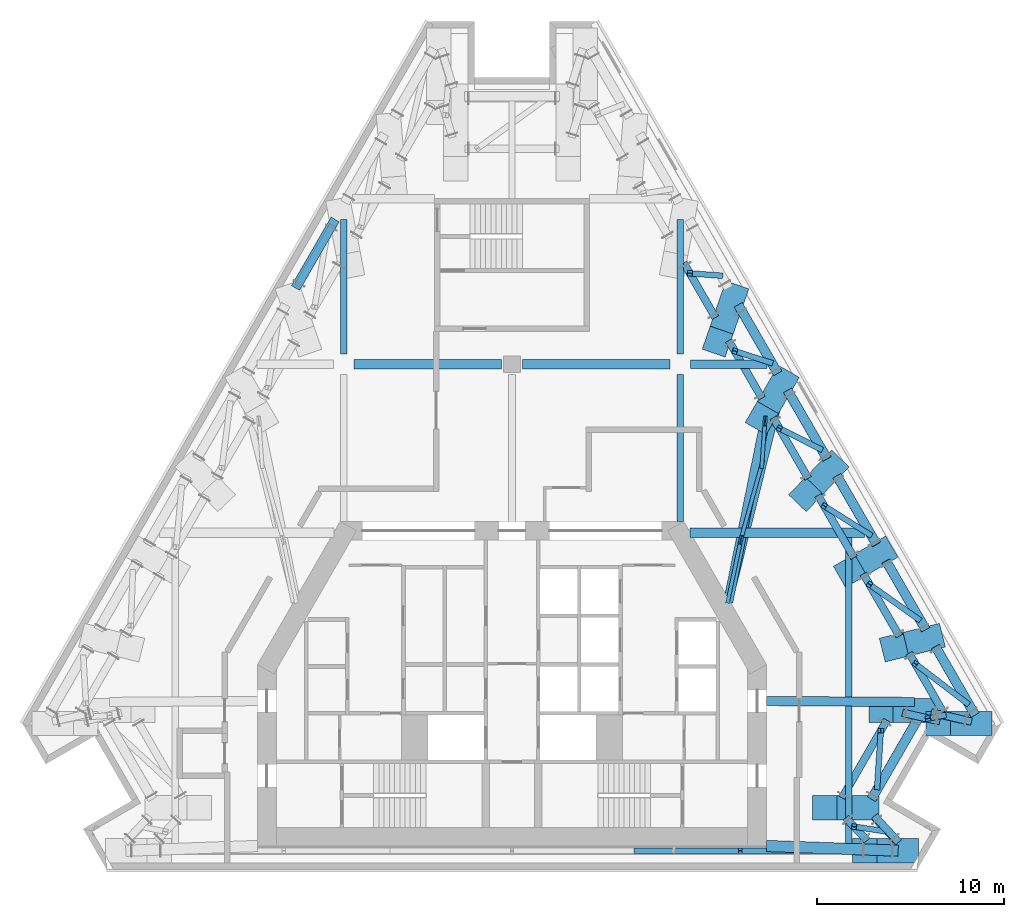
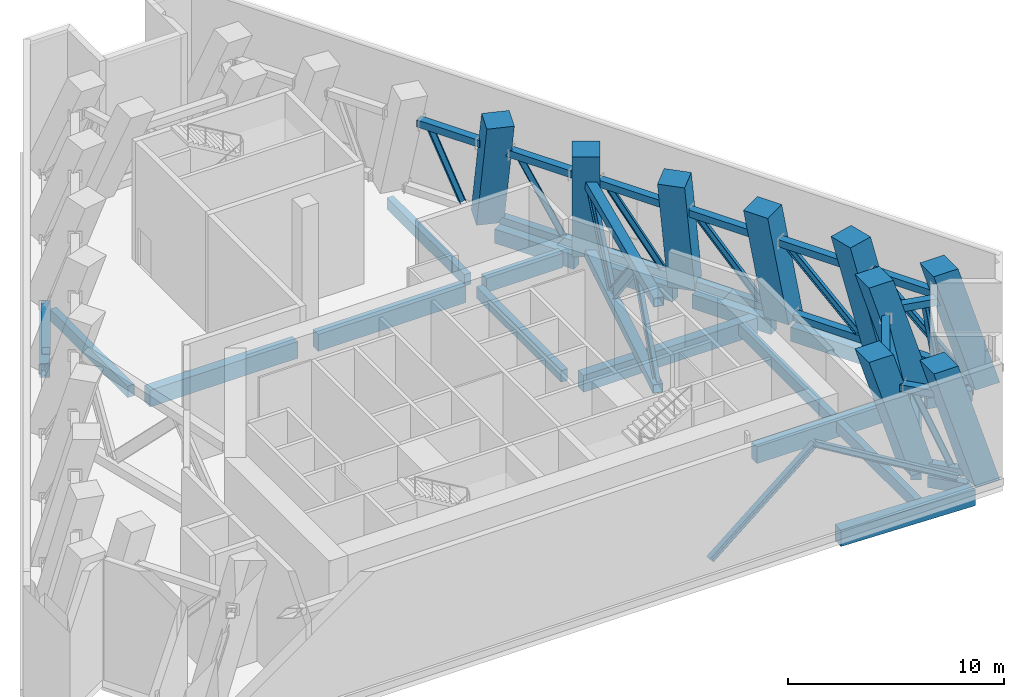
# One storey, part 2 of 13: 43 members, 20 beams.
"""IFC4 building model written with IfcOpenShell, lengths in metres."""

from ifc_helpers import new_model, si_unit, direction, frame, origin, origin_2d, place, context, subcontext, project, spatial, rectangle, hollow_rectangle, i_section, extrude, material, material_profile, profile_set, type_object, element, save


model = new_model("IFC4")

# Units and contexts
model_context = context("Model", 3, precision=1e-05, world=origin(), true_north=direction((0.0, 1.0)))
body_context = subcontext(model_context, "Body", "Model", "MODEL_VIEW")
ifc_project = project(units=[si_unit("LENGTHUNIT", "METRE"), si_unit("AREAUNIT", "SQUARE_METRE"), si_unit("VOLUMEUNIT", "CUBIC_METRE"), si_unit("PLANEANGLEUNIT", "RADIAN"), si_unit("MASSUNIT", "GRAM", prefix="KILO")], contexts=[model_context])

# Site, building, storey
site_placement = place(None, origin())
site = spatial("IfcSite", under=ifc_project, at=site_placement, CompositionType="ELEMENT")
building_placement = place(site_placement, origin())
building = spatial("IfcBuilding", under=site, at=building_placement, Name="Fogline Exchange Tower", CompositionType="ELEMENT")
storey_placement = place(building_placement, frame((0.0, 0.0, 259.5)))
storey = spatial("IfcBuildingStorey", under=building, at=storey_placement, Name="L59", CompositionType="ELEMENT", Elevation=259.5)

# Beams
ifc_material_1 = material(Name="Concrete C40", Category="concrete")
ifc_material_profile_1 = material_profile(ifc_material_1, rectangle(XDim=0.60009765625, YDim=0.89990234375, at=origin_2d()), Name="RC 600x900")
ifc_profile_set_1 = profile_set([ifc_material_profile_1], Name="Concrete C40")
beam_type_1 = type_object("IfcBeamType", Name="B09", PredefinedType="BEAM", material=ifc_profile_set_1)
beam_1_placement = place(storey_placement, frame((13.60009765625, 1.25, -0.85009765625), z_axis=(0.99937042328, -0.035478966629, 0.0), x_axis=(0.035478966629, 0.99937042328, 0.0)))
element("IfcBeam", 1, at=beam_1_placement, inside=storey, type_object=beam_type_1, Name="RB005", PredefinedType="BEAM", context=body_context, shape_type="SweptSolid", body=[
    extrude(rectangle(XDim=0.60009765625, YDim=0.89990234375, at=origin_2d()), origin(), (0.0, 0.0, 1.0), 7.04638671875),
])
ifc_material_profile_2 = material_profile(ifc_material_1, rectangle(XDim=0.5, YDim=0.800048828125, at=origin_2d()), Name="RC 500x800")
ifc_profile_set_2 = profile_set([ifc_material_profile_2], Name="Concrete C40")
beam_type_2 = type_object("IfcBeamType", Name="B10", PredefinedType="BEAM", material=ifc_profile_set_2)
beam_2_placement = place(storey_placement, frame((19.215087890625, 3.7490234375, -0.800048828125), z_axis=(0.499976646485, 0.866038886523, 0.0), x_axis=(-0.866038886523, 0.499976646485, 0.0)))
element("IfcBeam", 2, at=beam_2_placement, inside=storey, type_object=beam_type_2, Name="RB007", PredefinedType="BEAM", context=body_context, shape_type="SweptSolid", body=[
    extrude(rectangle(XDim=0.5, YDim=0.800048828125, at=origin_2d()), origin(), (0.0, 0.0, 1.0), 4.960693359375),
])
beam_3_placement = place(storey_placement, frame((24.7548828125, 8.244140625, -0.800048828125), z_axis=(-0.499990325971, 0.866030989016, 0.0), x_axis=(-0.866030989016, -0.499990325971, 0.0)))
element("IfcBeam", 3, at=beam_3_placement, inside=storey, type_object=beam_type_2, Name="RB009", PredefinedType="BEAM", context=body_context, shape_type="SweptSolid", body=[
    extrude(rectangle(XDim=0.5, YDim=0.800048828125, at=origin_2d()), origin(), (0.0, 0.0, 1.0), 4.23388671875),
])
beam_4_placement = place(storey_placement, frame((22.118408203125, 12.810791015625, -0.800048828125), z_axis=(-0.500015295222, 0.866016572904, 0.0), x_axis=(-0.866016572904, -0.500015295222, 0.0)))
element("IfcBeam", 4, at=beam_4_placement, inside=storey, type_object=beam_type_2, Name="RB010", PredefinedType="BEAM", context=body_context, shape_type="SweptSolid", body=[
    extrude(rectangle(XDim=0.5, YDim=0.800048828125, at=origin_2d()), origin(), (0.0, 0.0, 1.0), 4.233642578125),
])
beam_5_placement = place(storey_placement, frame((19.481689453125, 17.377197265625, -0.800048828125), z_axis=(-0.499947076772, 0.866055956868, 0.0), x_axis=(-0.866055956868, -0.499947076772, 0.0)))
element("IfcBeam", 5, at=beam_5_placement, inside=storey, type_object=beam_type_2, Name="RB011", PredefinedType="BEAM", context=body_context, shape_type="SweptSolid", body=[
    extrude(rectangle(XDim=0.5, YDim=0.800048828125, at=origin_2d()), origin(), (0.0, 0.0, 1.0), 4.23388671875),
])
for number, where, z_axis, x_axis, name in (
    (6, (16.84521484375, 21.94384765625, -0.800048828125), (-0.499972045304, 0.866041542834, 0.0), (-0.866041542834, -0.499972045304, 0.0), "RB012"),
    (7, (14.208740234375, 26.510498046875, -0.800048828125), (-0.499972045304, 0.866041542834, 0.0), (-0.866041542834, -0.499972045304, 0.0), "RB013"),
    (8, (-9.45556640625, 34.743408203125, -0.800048828125), (-0.499972045304, -0.866041542834, 0.0), (0.866041542834, -0.499972045304, 0.0), "RB022"),
):
    element("IfcBeam", number, at=place(storey_placement, frame(where, z_axis=z_axis, x_axis=x_axis)), inside=storey, type_object=beam_type_2, Name=name, PredefinedType="BEAM", context=body_context, shape_type="SweptSolid", body=[
        extrude(rectangle(XDim=0.5, YDim=0.800048828125, at=origin_2d()), origin(), (0.0, 0.0, 1.0), 4.233642578125),
    ])
ifc_material_profile_3 = material_profile(ifc_material_1, rectangle(XDim=0.39990234375, YDim=0.60009765625, at=origin_2d()), Name="RC 400x600")
ifc_profile_set_3 = profile_set([ifc_material_profile_3], Name="Concrete C40")
beam_type_3 = type_object("IfcBeamType", Name="B11", PredefinedType="BEAM", material=ifc_profile_set_3)
beam_6_placement = place(storey_placement, frame((20.673828125, 1.449951171875, -0.699951171875), z_axis=(-0.68075009804, 0.732515736362, 0.0), x_axis=(-0.732515736362, -0.68075009804, 0.0)))
element("IfcBeam", 9, at=beam_6_placement, inside=storey, type_object=beam_type_3, Name="RB006", PredefinedType="BEAM", context=body_context, shape_type="SweptSolid", body=[
    extrude(rectangle(XDim=0.39990234375, YDim=0.60009765625, at=origin_2d()), origin(), (0.0, 0.0, 1.0), 1.91015625),
])
beam_7_placement = place(storey_placement, frame((22.4052734375, 8.39208984375, -0.699951171875), z_axis=(0.974731818643, -0.223378337636, 0.0), x_axis=(0.223378337636, 0.974731818643, 0.0)))
element("IfcBeam", 10, at=beam_7_placement, inside=storey, type_object=beam_type_3, Name="RB008", PredefinedType="BEAM", context=body_context, shape_type="SweptSolid", body=[
    extrude(rectangle(XDim=0.39990234375, YDim=0.60009765625, at=origin_2d()), origin(), (0.0, 0.0, 1.0), 2.21533203125),
])
ifc_material_profile_4 = material_profile(ifc_material_1, rectangle(XDim=0.5, YDim=0.949951171875, at=origin_2d()), Name="RC 500x950")
ifc_profile_set_4 = profile_set([ifc_material_profile_4], Name="Concrete C40")
beam_type_4 = type_object("IfcBeamType", Name="B14", PredefinedType="BEAM", material=ifc_profile_set_4)
beam_8_placement = place(storey_placement, frame((13.60009765625, 9.0, -0.875), z_axis=(0.999976072531, -0.006917684998, 0.0), x_axis=(0.006917684998, 0.999976072531, 0.0)))
element("IfcBeam", 11, at=beam_8_placement, inside=storey, type_object=beam_type_4, Name="GB002", PredefinedType="BEAM", context=body_context, shape_type="SweptSolid", body=[
    extrude(rectangle(XDim=0.5, YDim=0.949951171875, at=origin_2d()), origin(), (0.0, 0.0, 1.0), 7.905517578125),
])
beam_9_placement = place(storey_placement, frame((9.527099609375, 18.0, -0.875), z_axis=(1.0, 0.0, 0.0), x_axis=(0.0, 1.0, 0.0)))
element("IfcBeam", 12, at=beam_9_placement, inside=storey, type_object=beam_type_4, Name="GB004", PredefinedType="BEAM", context=body_context, shape_type="SweptSolid", body=[
    extrude(rectangle(XDim=0.5, YDim=0.949951171875, at=origin_2d()), origin(), (0.0, 0.0, 1.0), 9.306640625),
])
for number, where, z_axis, x_axis, name in (
    (13, (-8.449951171875, 27.0, -0.875), (1.0, 0.0, 0.0), (0.0, 1.0, 0.0), "GB006"),
    (14, (0.550048828125, 27.0, -0.875), (1.0, 0.0, 0.0), (0.0, 1.0, 0.0), "GB007"),
):
    element("IfcBeam", number, at=place(storey_placement, frame(where, z_axis=z_axis, x_axis=x_axis)), inside=storey, type_object=beam_type_4, Name=name, PredefinedType="BEAM", context=body_context, shape_type="SweptSolid", body=[
        extrude(rectangle(XDim=0.5, YDim=0.949951171875, at=origin_2d()), origin(), (0.0, 0.0, 1.0), 7.89990234375),
    ])
ifc_material_profile_5 = material_profile(ifc_material_1, rectangle(XDim=0.35009765625, YDim=0.64990234375, at=origin_2d()), Name="RC 350x650")
ifc_profile_set_5 = profile_set([ifc_material_profile_5], Name="Concrete C40")
beam_type_5 = type_object("IfcBeamType", Name="B16", PredefinedType="BEAM", material=ifc_profile_set_5)
beam_10_placement = place(storey_placement, frame((-9.0, 27.550048828125, -0.72509765625), z_axis=(0.0, 1.0, 0.0), x_axis=(-1.0, 0.0, 0.0)))
element("IfcBeam", 15, at=beam_10_placement, inside=storey, type_object=beam_type_5, Name="SB004", PredefinedType="BEAM", context=body_context, shape_type="SweptSolid", body=[
    extrude(rectangle(XDim=0.35009765625, YDim=0.64990234375, at=origin_2d()), origin(), (0.0, 0.0, 1.0), 7.193359375),
])
beam_11_placement = place(storey_placement, frame((9.0, 18.60009765625, -0.72509765625), z_axis=(0.0, 1.0, 0.0), x_axis=(-1.0, 0.0, 0.0)))
element("IfcBeam", 16, at=beam_11_placement, inside=storey, type_object=beam_type_5, Name="SB007", PredefinedType="BEAM", context=body_context, shape_type="SweptSolid", body=[
    extrude(rectangle(XDim=0.35009765625, YDim=0.64990234375, at=origin_2d()), origin(), (0.0, 0.0, 1.0), 7.849853515625),
])
beam_12_placement = place(storey_placement, frame((9.0, 27.550048828125, -0.72509765625), z_axis=(0.0, 1.0, 0.0), x_axis=(-1.0, 0.0, 0.0)))
element("IfcBeam", 17, at=beam_12_placement, inside=storey, type_object=beam_type_5, Name="SB008", PredefinedType="BEAM", context=body_context, shape_type="SweptSolid", body=[
    extrude(rectangle(XDim=0.35009765625, YDim=0.64990234375, at=origin_2d()), origin(), (0.0, 0.0, 1.0), 7.193359375),
])
beam_13_placement = place(storey_placement, frame((18.0, 1.39404296875, -0.72509765625), z_axis=(0.0, 1.0, 0.0), x_axis=(-1.0, 0.0, 0.0)))
element("IfcBeam", 18, at=beam_13_placement, inside=storey, type_object=beam_type_5, Name="SB009", PredefinedType="BEAM", context=body_context, shape_type="SweptSolid", body=[
    extrude(rectangle(XDim=0.35009765625, YDim=0.64990234375, at=origin_2d()), origin(), (0.0, 0.0, 1.0), 7.325439453125),
])
beam_14_placement = place(storey_placement, frame((18.0, 9.219482421875, -0.72509765625), z_axis=(0.0, 1.0, 0.0), x_axis=(-1.0, 0.0, 0.0)))
element("IfcBeam", 19, at=beam_14_placement, inside=storey, type_object=beam_type_5, Name="SB010", PredefinedType="BEAM", context=body_context, shape_type="SweptSolid", body=[
    extrude(rectangle(XDim=0.35009765625, YDim=0.64990234375, at=origin_2d()), origin(), (0.0, 0.0, 1.0), 8.530517578125),
])
ifc_material_profile_6 = material_profile(ifc_material_1, rectangle(XDim=0.449951171875, YDim=0.800048828125, at=origin_2d()), Name="RC 450x800")
ifc_profile_set_6 = profile_set([ifc_material_profile_6], Name="Concrete C40")
beam_type_6 = type_object("IfcBeamType", Name="B18", PredefinedType="BEAM", material=ifc_profile_set_6)
beam_15_placement = place(storey_placement, frame((9.550048828125, 27.0, -0.800048828125), z_axis=(1.0, 0.0, 0.0), x_axis=(0.0, 1.0, 0.0)))
element("IfcBeam", 20, at=beam_15_placement, inside=storey, type_object=beam_type_6, Name="GB008", PredefinedType="BEAM", context=body_context, shape_type="SweptSolid", body=[
    extrude(rectangle(XDim=0.449951171875, YDim=0.800048828125, at=origin_2d()), origin(), (0.0, 0.0, 1.0), 4.08740234375),
])

# Members
ifc_material_2 = material(Name="Steel Q355B", Category="steel")
ifc_material_profile_7 = material_profile(ifc_material_2, hollow_rectangle(XDim=0.39990234375, YDim=0.39990234375, WallThickness=0.02001953125, at=origin_2d()), Name="BOX400X400X20")
ifc_profile_set_7 = profile_set([ifc_material_profile_7], Name="Steel Q355B")
member_type_1 = type_object("IfcMemberType", Name="M09", PredefinedType="CHORD", material=ifc_profile_set_7)
for number, where, z_axis, x_axis, name in (
    (21, (20.52783203125, 1.5400390625, 0.199951171875), (-0.680732470686, 0.732532117626, 0.0), (-0.732532117626, -0.680732470686, 0.0), "Belt truss chord BT5-1-BC"),
    (22, (18.976318359375, 1.5400390625, 5.199951171875), (-0.680811200707, 0.732458946967, 0.0), (-0.732458946967, -0.680811200707, 0.0), "Belt truss chord BT5-1-TC"),
):
    element("IfcMember", number, at=place(storey_placement, frame(where, z_axis=z_axis, x_axis=x_axis)), inside=storey, type_object=member_type_1, Name=name, PredefinedType="CHORD", context=body_context, shape_type="SweptSolid", body=[
        extrude(hollow_rectangle(XDim=0.39990234375, YDim=0.39990234375, WallThickness=0.02001953125, at=origin_2d()), origin(), (0.0, 0.0, 1.0), 1.663818359375),
    ])
for number, where, z_axis, x_axis, name in (
    (23, (19.193603515625, 3.819091796875, 0.199951171875), (0.499991085587, 0.866030550462, 0.0), (-0.866030550462, 0.499991085587, 0.0), "Belt truss chord BT6-1-BC"),
    (24, (17.641845703125, 3.819091796875, 5.199951171875), (0.499991085587, 0.866030550462, 0.0), (-0.866030550462, 0.499991085587, 0.0), "Belt truss chord BT6-1-TC"),
):
    element("IfcMember", number, at=place(storey_placement, frame(where, z_axis=z_axis, x_axis=x_axis)), inside=storey, type_object=member_type_1, Name=name, PredefinedType="CHORD", context=body_context, shape_type="SweptSolid", body=[
        extrude(hollow_rectangle(XDim=0.39990234375, YDim=0.39990234375, WallThickness=0.02001953125, at=origin_2d()), origin(), (0.0, 0.0, 1.0), 4.798828125),
    ])
for number, where, z_axis, x_axis, name in (
    (25, (22.427490234375, 8.372802734375, 0.199951171875), (0.974748583567, -0.223305169745, 0.0), (0.223305169745, 0.974748583567, 0.0), "Belt truss chord BT7-1-BC"),
    (26, (20.8759765625, 8.372802734375, 5.199951171875), (0.974748583567, -0.223305169745, 0.0), (0.223305169745, 0.974748583567, 0.0), "Belt truss chord BT7-1-TC"),
):
    element("IfcMember", number, at=place(storey_placement, frame(where, z_axis=z_axis, x_axis=x_axis)), inside=storey, type_object=member_type_1, Name=name, PredefinedType="CHORD", context=body_context, shape_type="SweptSolid", body=[
        extrude(hollow_rectangle(XDim=0.39990234375, YDim=0.39990234375, WallThickness=0.02001953125, at=origin_2d()), origin(), (0.0, 0.0, 1.0), 2.042236328125),
    ])
member_1_placement = place(storey_placement, frame((24.65234375, 8.314208984375, 0.199951171875), z_axis=(-0.499985098601, 0.86603400694, 0.0), x_axis=(-0.86603400694, -0.499985098601, 0.0)))
element("IfcMember", 27, at=member_1_placement, inside=storey, type_object=member_type_1, Name="Belt truss chord BT8-1-BC", PredefinedType="CHORD", context=body_context, shape_type="SweptSolid", body=[
    extrude(hollow_rectangle(XDim=0.39990234375, YDim=0.39990234375, WallThickness=0.02001953125, at=origin_2d()), origin(), (0.0, 0.0, 1.0), 4.130615234375),
])
member_2_placement = place(storey_placement, frame((23.1005859375, 8.314208984375, 5.199951171875), z_axis=(-0.499955859829, 0.866050886624, 0.0), x_axis=(-0.866050886624, -0.499955859829, 0.0)))
element("IfcMember", 28, at=member_2_placement, inside=storey, type_object=member_type_1, Name="Belt truss chord BT8-1-TC", PredefinedType="CHORD", context=body_context, shape_type="SweptSolid", body=[
    extrude(hollow_rectangle(XDim=0.39990234375, YDim=0.39990234375, WallThickness=0.02001953125, at=origin_2d()), origin(), (0.0, 0.0, 1.0), 3.742431640625),
])
member_3_placement = place(storey_placement, frame((22.060546875, 12.80322265625, 0.199951171875), z_axis=(-0.500005503224, 0.866022226473, 0.0), x_axis=(-0.866022226473, -0.500005503224, 0.0)))
element("IfcMember", 29, at=member_3_placement, inside=storey, type_object=member_type_1, Name="Belt truss chord BT9-1-BC", PredefinedType="CHORD", context=body_context, shape_type="SweptSolid", body=[
    extrude(hollow_rectangle(XDim=0.39990234375, YDim=0.39990234375, WallThickness=0.02001953125, at=origin_2d()), origin(), (0.0, 0.0, 1.0), 4.23095703125),
])
member_4_placement = place(storey_placement, frame((20.702880859375, 12.46728515625, 5.199951171875), z_axis=(-0.499951581741, 0.866053356274, 0.0), x_axis=(-0.866053356274, -0.499951581741, 0.0)))
element("IfcMember", 30, at=member_4_placement, inside=storey, type_object=member_type_1, Name="Belt truss chord BT9-1-TC", PredefinedType="CHORD", context=body_context, shape_type="SweptSolid", body=[
    extrude(hollow_rectangle(XDim=0.39990234375, YDim=0.39990234375, WallThickness=0.02001953125, at=origin_2d()), origin(), (0.0, 0.0, 1.0), 3.84326171875),
])
member_5_placement = place(storey_placement, frame((19.445068359375, 17.33349609375, 0.199951171875), z_axis=(-0.500005503224, 0.866022226473, 0.0), x_axis=(-0.866022226473, -0.500005503224, 0.0)))
element("IfcMember", 31, at=member_5_placement, inside=storey, type_object=member_type_1, Name="Belt truss chord BT10-1-BC", PredefinedType="CHORD", context=body_context, shape_type="SweptSolid", body=[
    extrude(hollow_rectangle(XDim=0.39990234375, YDim=0.39990234375, WallThickness=0.02001953125, at=origin_2d()), origin(), (0.0, 0.0, 1.0), 4.23095703125),
])
member_6_placement = place(storey_placement, frame((18.281494140625, 16.66162109375, 5.199951171875), z_axis=(-0.500026735266, 0.866009967621, 0.0), x_axis=(-0.866009967621, -0.500026735266, 0.0)))
element("IfcMember", 32, at=member_6_placement, inside=storey, type_object=member_type_1, Name="Belt truss chord BT10-1-TC", PredefinedType="CHORD", context=body_context, shape_type="SweptSolid", body=[
    extrude(hollow_rectangle(XDim=0.39990234375, YDim=0.39990234375, WallThickness=0.02001953125, at=origin_2d()), origin(), (0.0, 0.0, 1.0), 3.843017578125),
])
member_7_placement = place(storey_placement, frame((16.802978515625, 21.90966796875, 0.199951171875), z_axis=(-0.500010693214, 0.866019229966, 0.0), x_axis=(-0.866019229966, -0.500010693214, 0.0)))
element("IfcMember", 33, at=member_7_placement, inside=storey, type_object=member_type_1, Name="Belt truss chord BT11-1-BC", PredefinedType="CHORD", context=body_context, shape_type="SweptSolid", body=[
    extrude(hollow_rectangle(XDim=0.39990234375, YDim=0.39990234375, WallThickness=0.02001953125, at=origin_2d()), origin(), (0.0, 0.0, 1.0), 4.13037109375),
])
member_8_placement = place(storey_placement, frame((15.833251953125, 20.90185546875, 5.199951171875), z_axis=(-0.499984106787, 0.866034579541, 0.0), x_axis=(-0.866034579541, -0.499984106787, 0.0)))
element("IfcMember", 34, at=member_8_placement, inside=storey, type_object=member_type_1, Name="Belt truss chord BT11-1-TC", PredefinedType="CHORD", context=body_context, shape_type="SweptSolid", body=[
    extrude(hollow_rectangle(XDim=0.39990234375, YDim=0.39990234375, WallThickness=0.02001953125, at=origin_2d()), origin(), (0.0, 0.0, 1.0), 3.7421875),
])
member_9_placement = place(storey_placement, frame((14.13720703125, 26.52685546875, 0.199951171875), z_axis=(-0.49997767996, 0.866038289882, 0.0), x_axis=(-0.866038289882, -0.49997767996, 0.0)))
element("IfcMember", 35, at=member_9_placement, inside=storey, type_object=member_type_1, Name="Belt truss chord BT12-1-BC", PredefinedType="CHORD", context=body_context, shape_type="SweptSolid", body=[
    extrude(hollow_rectangle(XDim=0.39990234375, YDim=0.39990234375, WallThickness=0.02001953125, at=origin_2d()), origin(), (0.0, 0.0, 1.0), 3.947021484375),
])
member_10_placement = place(storey_placement, frame((13.361572265625, 25.18310546875, 5.199951171875), z_axis=(-0.499997574342, 0.866026804234, 0.0), x_axis=(-0.866026804234, -0.499997574342, 0.0)))
element("IfcMember", 36, at=member_10_placement, inside=storey, type_object=member_type_1, Name="Belt truss chord BT12-1-TC", PredefinedType="CHORD", context=body_context, shape_type="SweptSolid", body=[
    extrude(hollow_rectangle(XDim=0.39990234375, YDim=0.39990234375, WallThickness=0.02001953125, at=origin_2d()), origin(), (0.0, 0.0, 1.0), 3.55908203125),
])
member_11_placement = place(storey_placement, frame((10.8720703125, 29.494873046875, 5.199951171875), z_axis=(-0.50003089169, 0.866007567725, 0.0), x_axis=(-0.866007567725, -0.50003089169, 0.0)))
element("IfcMember", 37, at=member_11_placement, inside=storey, type_object=member_type_1, Name="Belt truss chord BT13-1-TC", PredefinedType="CHORD", context=body_context, shape_type="SweptSolid", body=[
    extrude(hollow_rectangle(XDim=0.39990234375, YDim=0.39990234375, WallThickness=0.02001953125, at=origin_2d()), origin(), (0.0, 0.0, 1.0), 3.380126953125),
])
member_12_placement = place(storey_placement, frame((-9.56982421875, 34.437744140625, 0.199951171875), z_axis=(-0.500006623535, -0.866021579651, 0.0), x_axis=(0.866021579651, -0.500006623535, 0.0)))
element("IfcMember", 38, at=member_12_placement, inside=storey, type_object=member_type_1, Name="Belt truss chord BT21-1-BC", PredefinedType="CHORD", context=body_context, shape_type="SweptSolid", body=[
    extrude(hollow_rectangle(XDim=0.39990234375, YDim=0.39990234375, WallThickness=0.02001953125, at=origin_2d()), origin(), (0.0, 0.0, 1.0), 3.76806640625),
])
ifc_material_profile_8 = material_profile(ifc_material_2, i_section(OverallWidth=0.300048828125, OverallDepth=0.300048828125, WebThickness=0.010009765625, FlangeThickness=0.014892578125, FilletRadius=0.012939453125, at=origin_2d()), Name="HW300X300X10X15")
ifc_profile_set_8 = profile_set([ifc_material_profile_8], Name="Steel Q355B")
member_type_2 = type_object("IfcMemberType", Name="M10", PredefinedType="BRACE", material=ifc_profile_set_8)
member_13_placement = place(storey_placement, frame((6.616455078125, 1.0, 0.39990234375), z_axis=(0.771717795181, 0.0, 0.635965128447), x_axis=(0.0, 1.0, 0.0)))
element("IfcMember", 39, at=member_13_placement, inside=storey, type_object=member_type_2, Name="Belt truss diagonal BT4-1-D5", PredefinedType="BRACE", context=body_context, shape_type="SweptSolid", body=[
    extrude(i_section(OverallWidth=0.300048828125, OverallDepth=0.300048828125, WebThickness=0.010009765625, FlangeThickness=0.014892578125, FilletRadius=0.012939453125, at=origin_2d()), origin(), (0.0, 0.0, 1.0), 7.233154296875),
])
member_14_placement = place(storey_placement, frame((12.198486328125, 1.0, 5.0), z_axis=(0.857019610509, 0.0, -0.515283792878), x_axis=(0.0, 1.0, 0.0)))
element("IfcMember", 40, at=member_14_placement, inside=storey, type_object=member_type_2, Name="Belt truss diagonal BT4-1-D6", PredefinedType="BRACE", context=body_context, shape_type="SweptSolid", body=[
    extrude(i_section(OverallWidth=0.300048828125, OverallDepth=0.300048828125, WebThickness=0.010009765625, FlangeThickness=0.014892578125, FilletRadius=0.012939453125, at=origin_2d()), origin(), (0.0, 0.0, 1.0), 8.92724609375),
])
member_15_placement = place(storey_placement, frame((20.08544921875, 2.01611328125, 0.39990234375), z_axis=(-0.363743184589, 0.053895190987, 0.929938817371), x_axis=(-0.146568118441, -0.989200579588, 0.0)))
element("IfcMember", 41, at=member_15_placement, inside=storey, type_object=member_type_2, Name="Belt truss diagonal BT5-1-D1", PredefinedType="BRACE", context=body_context, shape_type="SweptSolid", body=[
    extrude(i_section(OverallWidth=0.300048828125, OverallDepth=0.300048828125, WebThickness=0.010009765625, FlangeThickness=0.014892578125, FilletRadius=0.012939453125, at=origin_2d()), origin(), (0.0, 0.0, 1.0), 4.94677734375),
])
member_16_placement = place(storey_placement, frame((19.5185546875, 4.382080078125, 0.39990234375), z_axis=(0.035877605338, 0.549724641794, 0.834575110844), x_axis=(-0.9978770401, 0.065126130246, 0.0)))
element("IfcMember", 42, at=member_16_placement, inside=storey, type_object=member_type_2, Name="Belt truss diagonal BT6-1-D1", PredefinedType="BRACE", context=body_context, shape_type="SweptSolid", body=[
    extrude(i_section(OverallWidth=0.300048828125, OverallDepth=0.300048828125, WebThickness=0.010009765625, FlangeThickness=0.014892578125, FilletRadius=0.012939453125, at=origin_2d()), origin(), (0.0, 0.0, 1.0), 5.511962890625),
])
member_17_placement = place(storey_placement, frame((23.06103515625, 8.2275390625, 0.39990234375), z_axis=(-0.17706393338, -0.035444106947, 0.983560917675), x_axis=(0.196282907175, -0.980547306534, 0.0)))
element("IfcMember", 43, at=member_17_placement, inside=storey, type_object=member_type_2, Name="Belt truss diagonal BT7-1-D1", PredefinedType="BRACE", context=body_context, shape_type="SweptSolid", body=[
    extrude(i_section(OverallWidth=0.300048828125, OverallDepth=0.300048828125, WebThickness=0.010009765625, FlangeThickness=0.014892578125, FilletRadius=0.012939453125, at=origin_2d()), origin(), (0.0, 0.0, 1.0), 4.677001953125),
])
member_18_placement = place(storey_placement, frame((24.327392578125, 8.877197265625, 0.39990234375), z_axis=(-0.480353536891, 0.36641865149, 0.796867524396), x_axis=(-0.606498682267, -0.795084491365, 0.0)))
element("IfcMember", 44, at=member_18_placement, inside=storey, type_object=member_type_2, Name="Belt truss diagonal BT8-1-D1", PredefinedType="BRACE", context=body_context, shape_type="SweptSolid", body=[
    extrude(i_section(OverallWidth=0.300048828125, OverallDepth=0.300048828125, WebThickness=0.010009765625, FlangeThickness=0.014892578125, FilletRadius=0.012939453125, at=origin_2d()), origin(), (0.0, 0.0, 1.0), 5.772705078125),
])
member_19_placement = place(storey_placement, frame((21.735595703125, 13.3662109375, 0.39990234375), z_axis=(-0.468023520201, 0.332253673687, 0.818878184384), x_axis=(-0.578872079656, -0.815418368321, 0.0)))
element("IfcMember", 45, at=member_19_placement, inside=storey, type_object=member_type_2, Name="Belt truss diagonal BT9-1-D1", PredefinedType="BRACE", context=body_context, shape_type="SweptSolid", body=[
    extrude(i_section(OverallWidth=0.300048828125, OverallDepth=0.300048828125, WebThickness=0.010009765625, FlangeThickness=0.014892578125, FilletRadius=0.012939453125, at=origin_2d()), origin(), (0.0, 0.0, 1.0), 5.61767578125),
])
member_20_placement = place(storey_placement, frame((19.1201171875, 17.896484375, 0.39990234375), z_axis=(-0.448883066204, 0.282065068568, 0.847905236432), x_axis=(-0.532049851831, -0.846713029997, 0.0)))
element("IfcMember", 46, at=member_20_placement, inside=storey, type_object=member_type_2, Name="Belt truss diagonal BT10-1-D1", PredefinedType="BRACE", context=body_context, shape_type="SweptSolid", body=[
    extrude(i_section(OverallWidth=0.300048828125, OverallDepth=0.300048828125, WebThickness=0.010009765625, FlangeThickness=0.014892578125, FilletRadius=0.012939453125, at=origin_2d()), origin(), (0.0, 0.0, 1.0), 5.42529296875),
])
member_21_placement = place(storey_placement, frame((16.47802734375, 22.472412109375, 0.39990234375), z_axis=(-0.420186653046, 0.212387637421, 0.882232774313), x_axis=(-0.451107810063, -0.892469463735, 0.0)))
element("IfcMember", 47, at=member_21_placement, inside=storey, type_object=member_type_2, Name="Belt truss diagonal BT11-1-D1", PredefinedType="BRACE", context=body_context, shape_type="SweptSolid", body=[
    extrude(i_section(OverallWidth=0.300048828125, OverallDepth=0.300048828125, WebThickness=0.010009765625, FlangeThickness=0.014892578125, FilletRadius=0.012939453125, at=origin_2d()), origin(), (0.0, 0.0, 1.0), 5.214111328125),
])
member_22_placement = place(storey_placement, frame((13.812255859375, 27.089599609375, 0.39990234375), z_axis=(-0.379792225461, 0.122152548169, 0.91697143928), x_axis=(-0.306182916124, -0.951972700172, 0.0)))
element("IfcMember", 48, at=member_22_placement, inside=storey, type_object=member_type_2, Name="Belt truss diagonal BT12-1-D1", PredefinedType="BRACE", context=body_context, shape_type="SweptSolid", body=[
    extrude(i_section(OverallWidth=0.300048828125, OverallDepth=0.300048828125, WebThickness=0.010009765625, FlangeThickness=0.014892578125, FilletRadius=0.012939453125, at=origin_2d()), origin(), (0.0, 0.0, 1.0), 5.0166015625),
])
member_23_placement = place(storey_placement, frame((11.12890625, 31.737548828125, 0.39990234375), z_axis=(-0.332399636951, 0.024968751895, 0.942808062536), x_axis=(-0.074905633411, -0.997190626753, 0.0)))
element("IfcMember", 49, at=member_23_placement, inside=storey, type_object=member_type_2, Name="Belt truss diagonal BT13-1-D1", PredefinedType="BRACE", context=body_context, shape_type="SweptSolid", body=[
    extrude(i_section(OverallWidth=0.300048828125, OverallDepth=0.300048828125, WebThickness=0.010009765625, FlangeThickness=0.014892578125, FilletRadius=0.012939453125, at=origin_2d()), origin(), (0.0, 0.0, 1.0), 4.879150390625),
])
ifc_material_profile_9 = material_profile(ifc_material_2, hollow_rectangle(XDim=0.5, YDim=0.5, WallThickness=0.02490234375, at=origin_2d()), Name="BOX500X500X25")
ifc_profile_set_9 = profile_set([ifc_material_profile_9], Name="Steel Q355B")
member_type_3 = type_object("IfcMemberType", Name="M11", PredefinedType="CHORD", material=ifc_profile_set_9)
member_24_placement = place(storey_placement, frame((11.53076171875, 14.3212890625, 0.25), z_axis=(0.241067713123, 0.97050829862, 0.0), x_axis=(-0.97050829862, 0.241067713123, 0.0)))
element("IfcMember", 50, at=member_24_placement, inside=storey, type_object=member_type_3, Name="Outrigger chord OR-E-1-BC", PredefinedType="CHORD", context=body_context, shape_type="SweptSolid", body=[
    extrude(hollow_rectangle(XDim=0.5, YDim=0.5, WallThickness=0.02490234375, at=origin_2d()), origin(), (0.0, 0.0, 1.0), 11.46826171875),
])
member_25_placement = place(storey_placement, frame((11.555419921875, 14.28759765625, 5.14990234375), z_axis=(0.19941844948, 0.979914425859, 0.0), x_axis=(-0.979914425859, 0.19941844948, 0.0)))
element("IfcMember", 51, at=member_25_placement, inside=storey, type_object=member_type_3, Name="Outrigger chord OR-E-1-TC", PredefinedType="CHORD", context=body_context, shape_type="SweptSolid", body=[
    extrude(hollow_rectangle(XDim=0.5, YDim=0.5, WallThickness=0.02490234375, at=origin_2d()), origin(), (0.0, 0.0, 1.0), 10.0341796875),
])
ifc_material_profile_10 = material_profile(ifc_material_2, i_section(OverallWidth=0.199951171875, OverallDepth=0.60009765625, WebThickness=0.010986328125, FlangeThickness=0.01708984375, FilletRadius=0.02001953125, at=origin_2d()), Name="HN600X200X11X17")
ifc_profile_set_10 = profile_set([ifc_material_profile_10], Name="Steel Q355B")
member_type_4 = type_object("IfcMemberType", Name="M12", PredefinedType="BRACE", material=ifc_profile_set_10)
member_26_placement = place(storey_placement, frame((11.56689453125, 14.466796875, 0.5), z_axis=(0.122102617456, 0.577456692677, 0.80723894783), x_axis=(-0.978367429465, 0.206874776041, 0.0)))
element("IfcMember", 52, at=member_26_placement, inside=storey, type_object=member_type_4, Name="Outrigger brace OR-E-1-D1", PredefinedType="BRACE", context=body_context, shape_type="SweptSolid", body=[
    extrude(i_section(OverallWidth=0.199951171875, OverallDepth=0.60009765625, WebThickness=0.010986328125, FlangeThickness=0.01708984375, FilletRadius=0.02001953125, at=origin_2d()), origin(), (0.0, 0.0, 1.0), 5.450439453125),
])
member_27_placement = place(storey_placement, frame((12.232421875, 17.6142578125, 4.89990234375), z_axis=(0.184998151344, 0.668088870805, -0.72071696574), x_axis=(-0.963734130552, 0.266864245656, 0.0)))
element("IfcMember", 53, at=member_27_placement, inside=storey, type_object=member_type_4, Name="Outrigger brace OR-E-1-D2", PredefinedType="BRACE", context=body_context, shape_type="SweptSolid", body=[
    extrude(i_section(OverallWidth=0.199951171875, OverallDepth=0.60009765625, WebThickness=0.010986328125, FlangeThickness=0.01708984375, FilletRadius=0.02001953125, at=origin_2d()), origin(), (0.0, 0.0, 1.0), 6.10498046875),
])
member_28_placement = place(storey_placement, frame((13.36181640625, 21.69287109375, 0.5), z_axis=(0.033235358858, 0.459878891464, 0.887359462736), x_axis=(-0.997398722761, 0.072081813476, 0.0)))
element("IfcMember", 54, at=member_28_placement, inside=storey, type_object=member_type_4, Name="Outrigger brace OR-E-1-D3", PredefinedType="BRACE", context=body_context, shape_type="SweptSolid", body=[
    extrude(i_section(OverallWidth=0.199951171875, OverallDepth=0.60009765625, WebThickness=0.010986328125, FlangeThickness=0.01708984375, FilletRadius=0.02001953125, at=origin_2d()), origin(), (0.0, 0.0, 1.0), 4.95849609375),
])
ifc_material_3 = material(Name="Concrete C60", Category="concrete")
ifc_material_profile_11 = material_profile(ifc_material_3, rectangle(XDim=1.300048828125, YDim=1.300048828125, at=origin_2d()), Name="RC 1300x1300")
ifc_profile_set_11 = profile_set([ifc_material_profile_11], Name="Concrete C60")
member_type_5 = type_object("IfcMemberType", Name="RP02", PredefinedType="POST", material=ifc_profile_set_11)
for number, where, z_axis, x_axis, name in (
    (55, (21.092041015625, 1.0, 0.0), (0.0, 0.0, 1.0), (0.0, -1.0, 0.0), "SE-a"),
    (56, (18.955322265625, 3.299072265625, 0.0), (0.0, 0.0, 1.0), (0.0, -1.0, 0.0), "SE-p4"),
    (57, (21.955322265625, 8.4951171875, 0.0), (0.0, 0.0, 1.0), (0.0, -1.0, 0.0), "SE-p3"),
    (58, (25.0146484375, 7.794189453125, 0.0), (0.0, 0.0, 1.0), (0.0, -1.0, 0.0), "SE-b"),
):
    element("IfcMember", number, at=place(storey_placement, frame(where, z_axis=z_axis, x_axis=x_axis)), inside=storey, type_object=member_type_5, Name=name, PredefinedType="POST", context=body_context, shape_type="SweptSolid", body=[
        extrude(rectangle(XDim=1.300048828125, YDim=1.300048828125, at=origin_2d()), origin(), (0.0, -0.296388010045, 0.955067614099), 7.53857421875),
    ])
member_29_placement = place(storey_placement, frame((22.378173828125, 12.36083984375, 0.0), z_axis=(0.0, 0.0, 1.0), x_axis=(0.240253211832, -0.970710252446, 0.0)))
element("IfcMember", 59, at=member_29_placement, inside=storey, type_object=member_type_5, Name="E1", PredefinedType="POST", context=body_context, shape_type="SweptSolid", body=[
    extrude(rectangle(XDim=1.300048828125, YDim=1.300048828125, at=origin_2d()), origin(), (0.0, -0.269392198097, 0.96303055175), 7.476318359375),
])
member_30_placement = place(storey_placement, frame((19.74169921875, 16.92724609375, 0.0), z_axis=(0.0, 0.0, 1.0), x_axis=(0.500006411147, -0.866021702275, 0.0)))
element("IfcMember", 60, at=member_30_placement, inside=storey, type_object=member_type_5, Name="E2", PredefinedType="POST", context=body_context, shape_type="SweptSolid", body=[
    extrude(rectangle(XDim=1.300048828125, YDim=1.300048828125, at=origin_2d()), origin(), (0.0, -0.259546400421, 0.965730638443), 7.45556640625),
])
member_31_placement = place(storey_placement, frame((17.105224609375, 21.493896484375, 0.0), z_axis=(0.0, 0.0, 1.0), x_axis=(0.72061175141, -0.693338808758, 0.0)))
element("IfcMember", 61, at=member_31_placement, inside=storey, type_object=member_type_5, Name="E3", PredefinedType="POST", context=body_context, shape_type="SweptSolid", body=[
    extrude(rectangle(XDim=1.300048828125, YDim=1.300048828125, at=origin_2d()), origin(), (0.0, -0.269401443554, 0.963027965435), 7.476318359375),
])
member_32_placement = place(storey_placement, frame((14.46875, 26.060302734375, 0.0), z_axis=(0.0, 0.0, 1.0), x_axis=(0.866001785954, -0.500040905051, 0.0)))
element("IfcMember", 62, at=member_32_placement, inside=storey, type_object=member_type_5, Name="E4", PredefinedType="POST", context=body_context, shape_type="SweptSolid", body=[
    extrude(rectangle(XDim=1.300048828125, YDim=1.300048828125, at=origin_2d()), origin(), (0.0, -0.296365894128, 0.955074477095), 7.53857421875),
])
member_33_placement = place(storey_placement, frame((11.832275390625, 30.626953125, 0.0), z_axis=(0.0, 0.0, 1.0), x_axis=(0.944907803858, -0.327336588558, 0.0)))
element("IfcMember", 63, at=member_33_placement, inside=storey, type_object=member_type_5, Name="E5", PredefinedType="POST", context=body_context, shape_type="SweptSolid", body=[
    extrude(rectangle(XDim=1.300048828125, YDim=1.300048828125, at=origin_2d()), origin(), (0.0, -0.334979371943, 0.942225461539), 7.641357421875),
])

save(model, "model.ifc")
